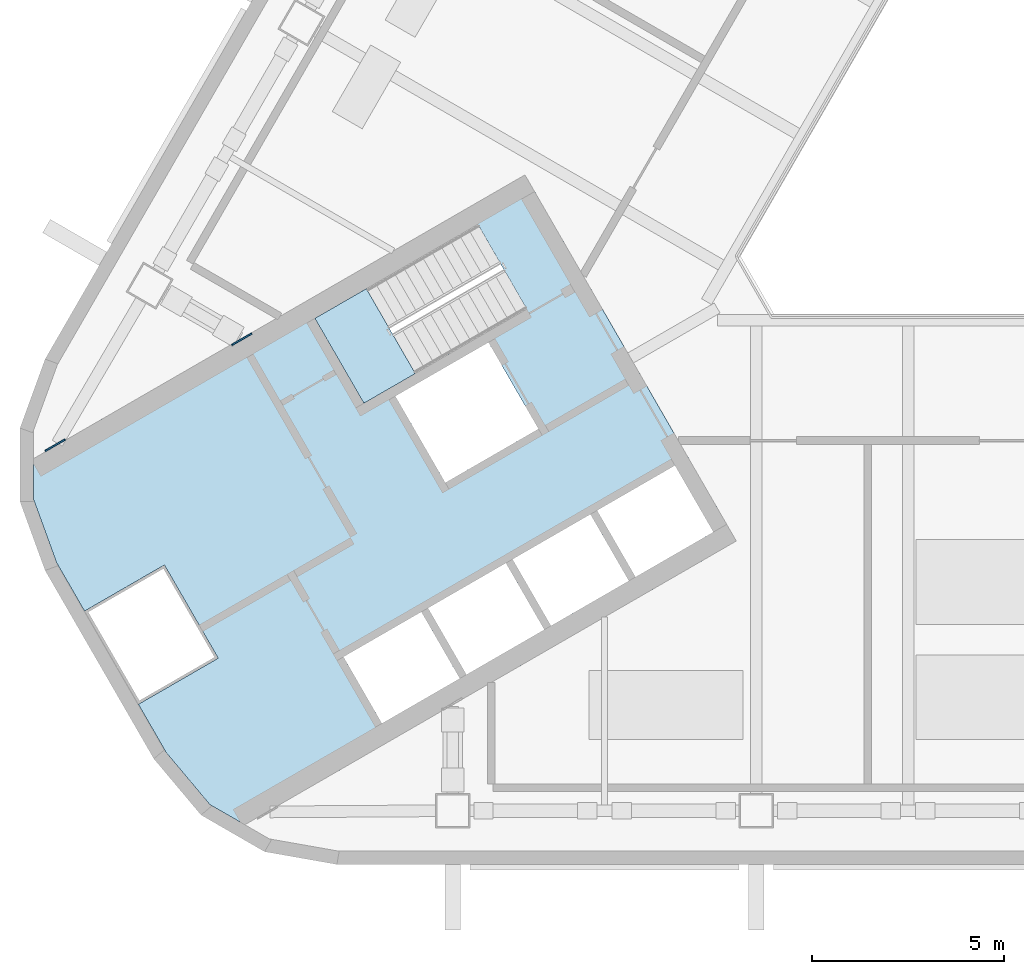
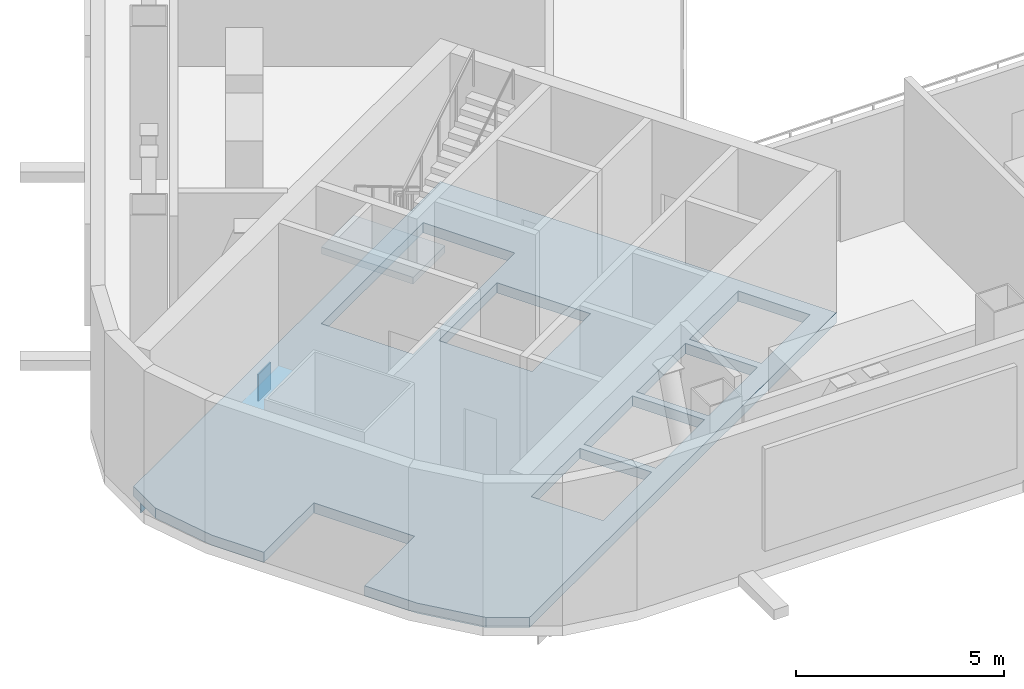
# One storey, part 4 of 15: 2 plates, 2 slabs, 1 element without a shape of its own.
"""IFC4 building model written with IfcOpenShell, lengths in metres."""

from ifc_helpers import new_model, si_unit, direction, frame, origin, origin_2d, place, context, subcontext, project, spatial, polyline, rectangle, outline, extrude, material, layer, layer_set, type_object, element, aggregate, save


model = new_model("IFC4")

# Units and contexts
model_context = context("Model", 3, precision=1e-05, world=origin(), true_north=direction((0.0, 1.0)))
body_context = subcontext(model_context, "Body", "Model", "MODEL_VIEW")
ifc_project = project(units=[si_unit("LENGTHUNIT", "METRE"), si_unit("AREAUNIT", "SQUARE_METRE"), si_unit("VOLUMEUNIT", "CUBIC_METRE"), si_unit("PLANEANGLEUNIT", "RADIAN"), si_unit("MASSUNIT", "GRAM", prefix="KILO")], contexts=[model_context])

# Site, building, storey
site_placement = place(None, origin())
site = spatial("IfcSite", under=ifc_project, at=site_placement, CompositionType="ELEMENT")
building_placement = place(site_placement, origin())
building = spatial("IfcBuilding", under=site, at=building_placement, Name="Apuvela Tower Hotel", CompositionType="ELEMENT")
storey_placement = place(building_placement, frame((0.0, 0.0, 137.60009765625)))
storey = spatial("IfcBuildingStorey", under=building, at=storey_placement, Name="L32 Plant", CompositionType="ELEMENT", Elevation=137.60009765625)

# Slab
ifc_material_1 = material(Name="Concrete C50/60", Category="concrete")
ifc_layer_1 = layer(ifc_material_1, 0.300048828125)
ifc_layer_set_1 = layer_set([ifc_layer_1], Name="COR-FLOOR-300")
slab_type_1 = type_object("IfcSlabType", Name="COR-FLOOR-300", PredefinedType="FLOOR", material=ifc_layer_set_1)
slab_1_placement = place(storey_placement, frame((0.0, 0.0, -0.300048828125)))
element("IfcSlab", 1, at=slab_1_placement, inside=storey, type_object=slab_type_1, Name="Core floor SW", PredefinedType="FLOOR", context=body_context, shape_type="SweptSolid", body=[
    extrude(outline(polyline([(-26.711181640625, -9.07080078125), (-26.711181640625, -10.123291015625), (-26.109375, -11.77734375), (-25.381591796875, -13.03759765625), (-23.30322265625, -11.837646484375), (-21.9033203125, -14.262451171875), (-23.981689453125, -15.46240234375), (-23.254150390625, -16.72265625), (-22.122802734375, -18.071044921875), (-21.211181640625, -18.59716796875), (-8.421630859375, -11.213134765625), (-13.921630859375, -1.68701171875), (-26.711181640625, -9.07080078125)]), holes=[polyline([(-10.01806640625, -9.248046875), (-9.01806640625, -10.97998046875), (-11.044677734375, -12.150146484375), (-12.044677734375, -10.418212890625), (-10.01806640625, -9.248046875)]), polyline([(-14.244384765625, -11.68798828125), (-12.2177734375, -10.51806640625), (-11.2177734375, -12.25), (-13.244384765625, -13.420166015625), (-14.244384765625, -11.68798828125)]), polyline([(-19.387451171875, -5.419921875), (-15.149169921875, -2.972900390625), (-13.874267578125, -5.18115234375), (-18.112548828125, -7.628173828125), (-19.387451171875, -5.419921875)]), polyline([(-14.869873046875, -6.044677734375), (-13.56982421875, -8.29638671875), (-15.99462890625, -9.6962890625), (-17.294677734375, -7.444580078125), (-14.869873046875, -6.044677734375)]), polyline([(-16.444091796875, -12.9580078125), (-14.41748046875, -11.7880859375), (-13.41748046875, -13.52001953125), (-15.444091796875, -14.690185546875), (-16.444091796875, -12.9580078125)]), polyline([(-18.643798828125, -14.22802734375), (-16.6171875, -13.05810546875), (-15.6171875, -14.7900390625), (-17.643798828125, -15.960205078125), (-18.643798828125, -14.22802734375)])]), origin(), (0.0, 0.0, 1.0), 0.300048828125),
])

# Stair, slab
stair_type = type_object("IfcStairType", Name="COR-STAIR-26R", PredefinedType="HALF_TURN_STAIR", material=ifc_material_1)
stair_placement = place(storey_placement, origin())
stair = element("IfcStair", 2, at=stair_placement, inside=storey, type_object=stair_type, Name="L32 Plant Exit stair ST2", PredefinedType="HALF_TURN_STAIR")
ifc_layer_2 = layer(ifc_material_1, 0.199951171875)
ifc_layer_set_2 = layer_set([ifc_layer_2], Name="COR-LANDING-200")
slab_type_2 = type_object("IfcSlabType", Name="COR-LANDING-200", PredefinedType="LANDING", material=ifc_layer_set_2)
slab_2_placement = place(storey_placement, frame((0.0, 0.0, 2.0498046875)))
slab_2 = element("IfcSlab", 3, at=slab_2_placement, type_object=slab_type_2, Name="ST2 landing 1", PredefinedType="LANDING", context=body_context, shape_type="SweptSolid", body=[
    extrude(outline(polyline([(-18.048583984375, -4.64697265625), (-19.387451171875, -5.419921875), (-18.112548828125, -7.628173828125), (-16.773681640625, -6.855224609375), (-18.048583984375, -4.64697265625)])), origin(), (0.0, 0.0, 1.0), 0.2001953125),
])
aggregate(stair, [slab_2])

# Plates
ifc_material_2 = material(Name="Steel S355", Category="steel")
ifc_layer_3 = layer(ifc_material_2, 0.0400390625)
ifc_layer_set_3 = layer_set([ifc_layer_3], Name="STR-CP 40 Steel S355")
plate_type = type_object("IfcPlateType", Name="STR-CP 40 Steel S355", PredefinedType="SHEET", material=ifc_layer_set_3)
for number, where, z_axis, x_axis, name in (
    (4, (-26.142578125, -8.719482421875, -1.01025390625), (0.0, 0.0, 1.0), (-0.5, 0.866025403784, 0.0), "Cast-in plate CP-T1-30 40"),
    (5, (-21.2900390625, -5.964111328125, -1.10693359375), (0.0, 0.0, 1.0), (0.5, -0.866025403784, 0.0), "Cast-in plate CP-T1-34 40"),
):
    element("IfcPlate", number, at=place(storey_placement, frame(where, z_axis=z_axis, x_axis=x_axis)), inside=storey, type_object=plate_type, Name=name, PredefinedType="SHEET", context=body_context, shape_type="SweptSolid", body=[
        extrude(rectangle(XDim=0.0400390625, YDim=0.60009765625, at=origin_2d()), origin(), (0.0, 0.0, 1.0), 0.800048828125),
    ])

save(model, "model.ifc")
